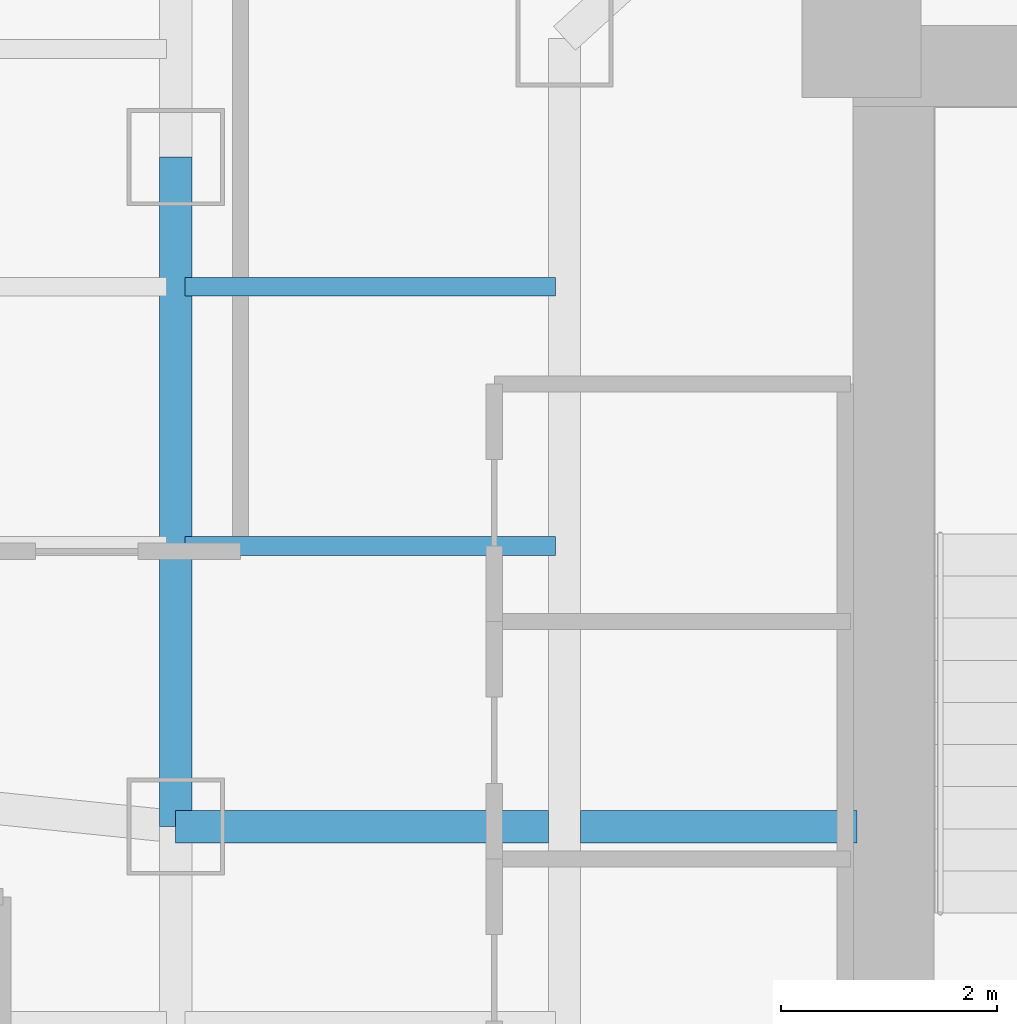
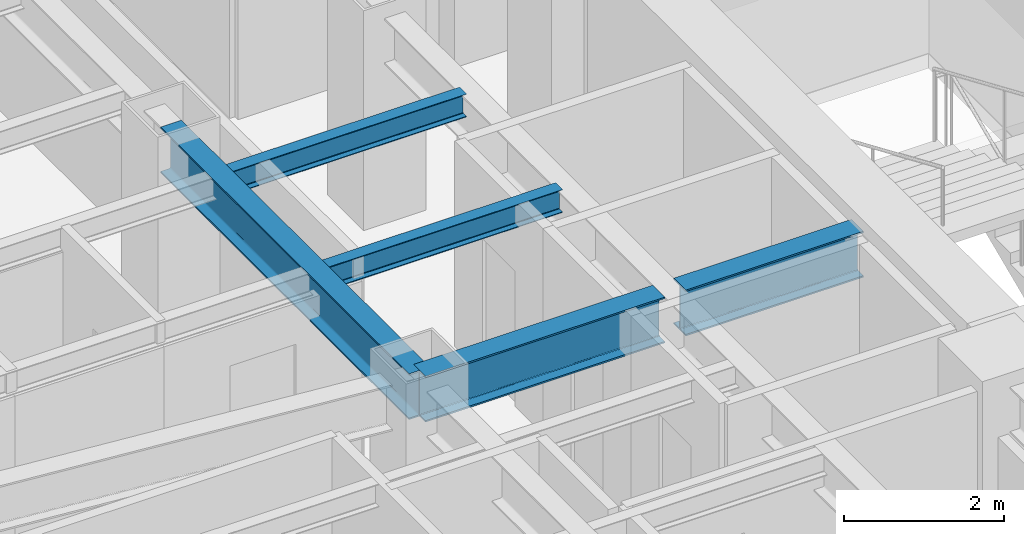
# One storey, part 16 of 31: 5 beams.
"""IFC4 building model written with IfcOpenShell, lengths in metres."""

from ifc_helpers import new_model, si_unit, direction, frame, origin, origin_2d, place, context, subcontext, project, spatial, i_section, extrude, material, material_profile, profile_set, type_object, element, save


model = new_model("IFC4")

# Units and contexts
model_context = context("Model", 3, precision=1e-05, world=origin(), true_north=direction((0.0, 1.0)))
body_context = subcontext(model_context, "Body", "Model", "MODEL_VIEW")
ifc_project = project(units=[si_unit("LENGTHUNIT", "METRE"), si_unit("AREAUNIT", "SQUARE_METRE"), si_unit("VOLUMEUNIT", "CUBIC_METRE"), si_unit("PLANEANGLEUNIT", "RADIAN"), si_unit("MASSUNIT", "GRAM", prefix="KILO")], contexts=[model_context])

# Site, building, storey
site_placement = place(None, origin())
site = spatial("IfcSite", under=ifc_project, at=site_placement, CompositionType="ELEMENT")
building_placement = place(site_placement, origin())
building = spatial("IfcBuilding", under=site, at=building_placement, Name="Hatsunagi Terrace Concourse", CompositionType="ELEMENT")
storey_placement = place(building_placement, frame((0.0, 0.0, 81.300048828125)))
storey = spatial("IfcBuildingStorey", under=building, at=storey_placement, Name="L21", CompositionType="ELEMENT", Elevation=81.300048828125)

# Beams
ifc_material_1 = material(Name="Steel SN490B", Category="steel")
ifc_material_profile_1 = material_profile(ifc_material_1, i_section(OverallWidth=0.300048828125, OverallDepth=0.699951171875, WebThickness=0.012939453125, FlangeThickness=0.02392578125, FilletRadius=0.02197265625, at=origin_2d()), Name="H-700x300x13x24")
ifc_profile_set_1 = profile_set([ifc_material_profile_1], Name="Steel SN490B")
beam_type_1 = type_object("IfcBeamType", Name="HotelFloorGirder_H_700x300", PredefinedType="BEAM", material=ifc_profile_set_1)
beam_1_placement = place(storey_placement, frame((19.199951171875, 36.0, 2.780029296875), z_axis=(0.0, 1.0, 0.0), x_axis=(-1.0, 0.0, 0.0)))
element("IfcBeam", 1, at=beam_1_placement, inside=storey, type_object=beam_type_1, Name="Beam G-04 BM-L21-NS-19-36", PredefinedType="BEAM", context=body_context, shape_type="SweptSolid", body=[
    extrude(i_section(OverallWidth=0.300048828125, OverallDepth=0.699951171875, WebThickness=0.012939453125, FlangeThickness=0.02392578125, FilletRadius=0.02197265625, at=origin_2d()), origin(), (0.0, 0.0, 1.0), 6.199951171875),
])
beam_2_placement = place(storey_placement, frame((19.199951171875, 36.0, 2.780029296875), z_axis=(1.0, 0.0, 0.0), x_axis=(0.0, 1.0, 0.0)))
element("IfcBeam", 2, at=beam_2_placement, inside=storey, type_object=beam_type_1, Name="Beam G-04 BM-L21-EW-3", PredefinedType="BEAM", context=body_context, shape_type="SweptSolid", body=[
    extrude(i_section(OverallWidth=0.300048828125, OverallDepth=0.699951171875, WebThickness=0.012939453125, FlangeThickness=0.02392578125, FilletRadius=0.02197265625, at=origin_2d()), origin(), (0.0, 0.0, 1.0), 3.449951171875),
])
beam_3_placement = place(storey_placement, frame((22.949951171875, 36.0, 2.780029296875), z_axis=(1.0, 0.0, 0.0), x_axis=(0.0, 1.0, 0.0)))
element("IfcBeam", 3, at=beam_3_placement, inside=storey, type_object=beam_type_1, Name="Beam G-04 BM-L21-EW-4", PredefinedType="BEAM", context=body_context, shape_type="SweptSolid", body=[
    extrude(i_section(OverallWidth=0.300048828125, OverallDepth=0.699951171875, WebThickness=0.012939453125, FlangeThickness=0.02392578125, FilletRadius=0.02197265625, at=origin_2d()), origin(), (0.0, 0.0, 1.0), 2.56005859375),
])
ifc_material_2 = material(Name="Steel SN490B", Category="steel")
ifc_material_profile_2 = material_profile(ifc_material_2, i_section(OverallWidth=0.175048828125, OverallDepth=0.35009765625, WebThickness=0.007080078125, FlangeThickness=0.010986328125, FilletRadius=0.012939453125, at=origin_2d()), Name="H-350x175x7x11")
ifc_profile_set_2 = profile_set([ifc_material_profile_2], Name="Steel SN490B")
beam_type_2 = type_object("IfcBeamType", Name="HotelJoist_H_350x175", PredefinedType="JOIST", material=ifc_profile_set_2)
for number, where, z_axis, x_axis, name in (
    (4, (19.284912109375, 38.60009765625, 2.954833984375), (1.0, 0.0, 0.0), (0.0, 1.0, 0.0), "Beam J-02 J-L21-W-19-386"),
    (5, (19.284912109375, 41.0, 2.954833984375), (1.0, 0.0, 0.0), (0.0, 1.0, 0.0), "Beam J-02 J-L21-W-19-410"),
):
    element("IfcBeam", number, at=place(storey_placement, frame(where, z_axis=z_axis, x_axis=x_axis)), inside=storey, type_object=beam_type_2, Name=name, PredefinedType="JOIST", context=body_context, shape_type="SweptSolid", body=[
        extrude(i_section(OverallWidth=0.175048828125, OverallDepth=0.35009765625, WebThickness=0.007080078125, FlangeThickness=0.010986328125, FilletRadius=0.012939453125, at=origin_2d()), origin(), (0.0, 0.0, 1.0), 3.43017578125),
    ])

save(model, "model.ifc")
